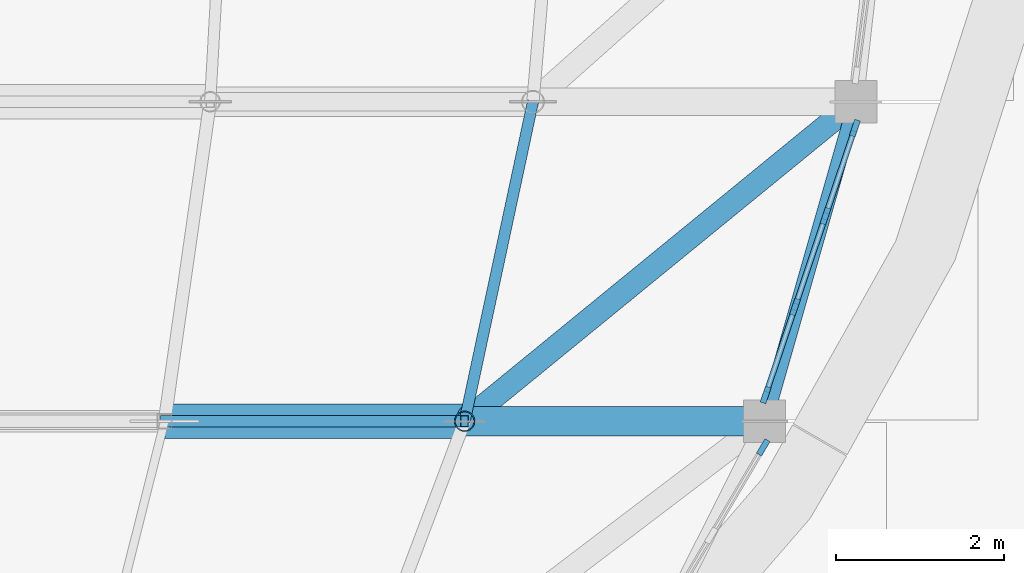
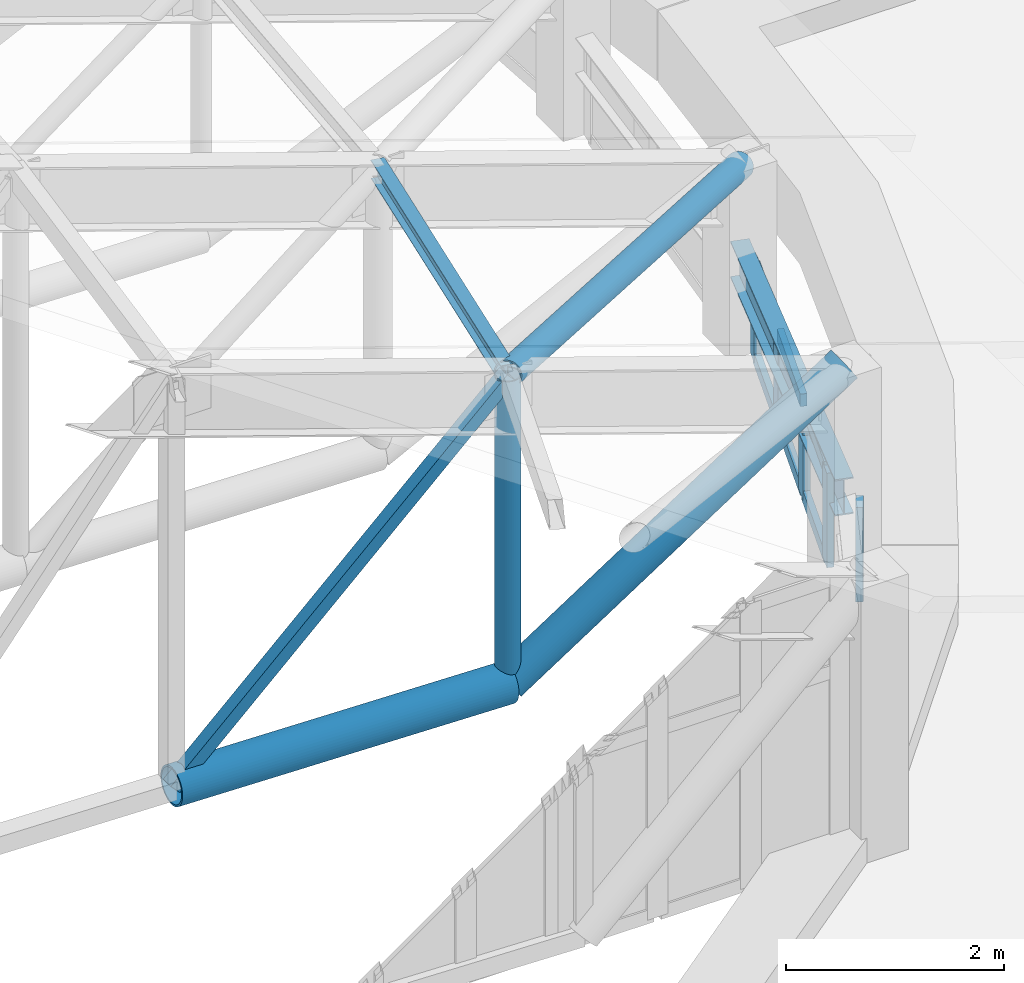
# One storey, part 18 of 105: 17 members, 1 beam, 2 elements without a shape of their own.
"""IFC4 building model written with IfcOpenShell, lengths in metres."""

import ifcopenshell
import ifcopenshell.guid

model = None  # the IFC model being written
_history = None  # IfcOwnerHistory: only IFC2X3 demands one
_inside = {}  # id of a spatial element -> (the spatial element, [elements in it])
_under = {}  # id of a project, library or spatial element -> (it, [spatial elements below it])
_declared = {}  # id of a project -> (the project, [libraries it declares])
_typed = {}  # id of a type object -> (the type object, [elements of that type])
_made_of = {}  # id of a material, layer set ... -> (it, [elements and type objects made of it])


def new_model(schema):
    """Start an empty IFC model of exactly this schema.

    Asked for "IFC4X3", IfcOpenShell would pick the latest addendum, in which some entities
    have other attributes; the version numbers below select the first issue.
    IFC2X3 requires an IfcOwnerHistory on every rooted entity: one is made here for all.
    """
    global model, _history
    if schema == "IFC4X3":
        model = ifcopenshell.file(schema_version=(4, 3, 0, 0))
    else:
        model = ifcopenshell.file(schema=schema)
    _inside.clear()
    _under.clear()
    _declared.clear()
    _typed.clear()
    _made_of.clear()
    _history = None
    if model.schema == "IFC2X3":
        org = make("IfcOrganization", Name="unknown")
        user = make(
            "IfcPersonAndOrganization",
            ThePerson=make("IfcPerson", FamilyName="unknown"),
            TheOrganization=org,
        )
        app = make(
            "IfcApplication",
            ApplicationDeveloper=org,
            Version="unknown",
            ApplicationFullName="unknown",
            ApplicationIdentifier="unknown",
        )
        _history = make(
            "IfcOwnerHistory",
            OwningUser=user,
            OwningApplication=app,
            ChangeAction="ADDED",
            CreationDate=0,
        )
    return model


def make(cls, **values):
    """One entity of the class cls with the attributes given. An attribute that is None is left unset."""
    return model.create_entity(
        cls, **{name: value for name, value in values.items() if value is not None}
    )


def rooted(cls, **values):
    """An entity with a GlobalId (a new one), such as an element, a storey or a relation."""
    return make(cls, GlobalId=ifcopenshell.guid.new(), OwnerHistory=_history, **values)


def si_unit(unit_type, name, prefix=None):
    """IfcSIUnit, for example si_unit("LENGTHUNIT", "METRE", prefix="MILLI")."""
    return make("IfcSIUnit", UnitType=unit_type, Prefix=prefix, Name=name)


def assignment(units):
    """IfcUnitAssignment: the units of a project."""
    return None if units is None else make("IfcUnitAssignment", Units=units)


def point(xyz):
    """IfcCartesianPoint."""
    return None if xyz is None else make("IfcCartesianPoint", Coordinates=xyz)


def direction(xyz):
    """IfcDirection."""
    return None if xyz is None else make("IfcDirection", DirectionRatios=xyz)


def frame(location, z_axis=None, x_axis=None):
    """IfcAxis2Placement3D, a coordinate frame: its origin and axes. An axis left out is left unset."""
    return make(
        "IfcAxis2Placement3D",
        Location=point(location),
        Axis=direction(z_axis),
        RefDirection=direction(x_axis),
    )


def frame_2d(location, x_axis=None):
    """IfcAxis2Placement2D, a coordinate frame in the plane: its origin and x axis."""
    return make(
        "IfcAxis2Placement2D", Location=point(location), RefDirection=direction(x_axis)
    )


def origin():
    """The frame at (0, 0, 0) with its axes left unset."""
    return frame((0.0, 0.0, 0.0))


def origin_2d():
    """The frame at (0, 0) in the plane with its x axis left unset."""
    return frame_2d((0.0, 0.0))


def place(relative_to, where):
    """IfcLocalPlacement: puts the frame where relative to a parent placement (None: the world)."""
    return make(
        "IfcLocalPlacement", PlacementRelTo=relative_to, RelativePlacement=where
    )


def context(
    kind, dimensions, precision=None, world=None, true_north=None, identifier=None
):
    """IfcGeometricRepresentationContext, for example the 3D "Model" context."""
    return make(
        "IfcGeometricRepresentationContext",
        ContextIdentifier=identifier,
        ContextType=kind,
        CoordinateSpaceDimension=dimensions,
        Precision=precision,
        WorldCoordinateSystem=world,
        TrueNorth=true_north,
    )


def subcontext(parent, identifier, kind, view, scale=None):
    """IfcGeometricRepresentationSubContext, for example "Body" below "Model"."""
    return make(
        "IfcGeometricRepresentationSubContext",
        ContextIdentifier=identifier,
        ContextType=kind,
        ParentContext=parent,
        TargetScale=scale,
        TargetView=view,
    )


def project(units=None, contexts=None):
    """IfcProject with its units and contexts."""
    return rooted(
        "IfcProject",
        Name="project",
        RepresentationContexts=contexts,
        UnitsInContext=assignment(units),
    )


def spatial(cls, under=None, at=None, **own):
    """A site, building, storey or space (cls), placed at a placement, below another one or the project."""
    s = rooted(cls, ObjectPlacement=at, **own)
    if under is not None:
        _under.setdefault(under.id(), (under, []))[1].append(s)
    return s


def profile(cls, at=None, kind="AREA", **sizes):
    """A parametric profile (cls). Its sizes go by their IFC names, for example OverallWidth=200.0."""
    return make(cls, ProfileType=kind, Position=at, **sizes)


def rectangle(**sizes):
    """IfcRectangleProfileDef."""
    return profile("IfcRectangleProfileDef", **sizes)


def hollow_rectangle(**sizes):
    """IfcRectangleHollowProfileDef."""
    return profile("IfcRectangleHollowProfileDef", **sizes)


def hollow_circle(**sizes):
    """IfcCircleHollowProfileDef."""
    return profile("IfcCircleHollowProfileDef", **sizes)


def i_section(**sizes):
    """IfcIShapeProfileDef."""
    return profile("IfcIShapeProfileDef", **sizes)


def extrude(swept, where, along, depth):
    """IfcExtrudedAreaSolid: the profile swept, set in the frame where, extruded along a direction by depth."""
    return make(
        "IfcExtrudedAreaSolid",
        SweptArea=swept,
        Position=where,
        ExtrudedDirection=direction(along),
        Depth=depth,
    )


def shape(context_of_items, identifier, shape_type, items):
    """IfcShapeRepresentation: the items that make up one representation, for example the "Body"."""
    return make(
        "IfcShapeRepresentation",
        ContextOfItems=context_of_items,
        RepresentationIdentifier=identifier,
        RepresentationType=shape_type,
        Items=items,
    )


def material(Name=None, Category=None):
    """IfcMaterial."""
    return make("IfcMaterial", Name=Name, Category=Category)


def material_profile(
    of_material, cross_section, Name=None, Category=None, Priority=None
):
    """IfcMaterialProfile: a cross section and its material."""
    return make(
        "IfcMaterialProfile",
        Name=Name,
        Material=of_material,
        Profile=cross_section,
        Priority=Priority,
        Category=Category,
    )


def profile_set(profiles, Name=None, composite=None):
    """IfcMaterialProfileSet."""
    return make(
        "IfcMaterialProfileSet",
        Name=Name,
        MaterialProfiles=profiles,
        CompositeProfile=composite,
    )


def made_of(thing, what):
    """Note that an element or type object is made of a material, layer set ...; save() writes the relation."""
    if what is not None:
        _made_of.setdefault(what.id(), (what, []))[1].append(thing)
    return thing


def type_object(cls, material=None, **own):
    """A type object (cls), such as IfcWallType, which elements share."""
    return made_of(rooted(cls, **own), material)


def element(
    cls,
    number,
    at=None,
    inside=None,
    cuts=None,
    type_object=None,
    material=None,
    context=None,
    identifier="Body",
    shape_type=None,
    held_by="IfcProductDefinitionShape",
    body=None,
    shapes=None,
    **own,
):
    """One element of the class cls, such as IfcWall. Its Tag is "e" and its number.

    at: its placement. inside: the storey or other place that contains it. cuts: it is an
    opening in that element (IfcRelVoidsElement). A single representation is given by context,
    identifier, shape_type and body (its items); several are given by shapes. held_by: the class
    of the entity that holds the representations. save() writes the other relations.
    """
    e = rooted(cls, Tag="e%d" % number, ObjectPlacement=at, **own)
    if body is not None:
        shapes = [shape(context, identifier, shape_type, body)]
    if shapes is not None:
        e.Representation = make(held_by, Representations=shapes)
    if inside is not None:
        _inside.setdefault(inside.id(), (inside, []))[1].append(e)
    if cuts is not None:
        rooted(
            "IfcRelVoidsElement", RelatingBuildingElement=cuts, RelatedOpeningElement=e
        )
    if type_object is not None:
        _typed.setdefault(type_object.id(), (type_object, []))[1].append(e)
    return made_of(e, material)


def aggregate(whole, parts):
    """IfcRelAggregates: a whole, such as a stair, and the parts it consists of."""
    return rooted("IfcRelAggregates", RelatingObject=whole, RelatedObjects=parts)


def save(model, path):
    """Write the relations noted so far, then the file.

    IfcRelAggregates (storeys below a building ...), IfcRelContainedInSpatialStructure (elements
    in a storey), IfcRelDefinesByType, IfcRelAssociatesMaterial and IfcRelDeclares: one each for
    every whole, place, type object, material and project.
    """
    for whole, parts in _under.values():
        aggregate(whole, parts)
    for where, things in _inside.values():
        rooted(
            "IfcRelContainedInSpatialStructure",
            RelatedElements=things,
            RelatingStructure=where,
        )
    for kind, things in _typed.values():
        rooted("IfcRelDefinesByType", RelatedObjects=things, RelatingType=kind)
    for what, things in _made_of.values():
        rooted("IfcRelAssociatesMaterial", RelatedObjects=things, RelatingMaterial=what)
    for by, libraries in _declared.values():
        rooted("IfcRelDeclares", RelatingContext=by, RelatedDefinitions=libraries)
    model.write(path)


model = new_model("IFC4")

# Units and contexts
model_context = context("Model", 3, precision=1e-05, world=origin(), true_north=direction((0.0, 1.0)))
body_context = subcontext(model_context, "Body", "Model", "MODEL_VIEW")
ifc_project = project(units=[si_unit("LENGTHUNIT", "METRE"), si_unit("AREAUNIT", "SQUARE_METRE"), si_unit("VOLUMEUNIT", "CUBIC_METRE"), si_unit("PLANEANGLEUNIT", "RADIAN"), si_unit("MASSUNIT", "GRAM", prefix="KILO")], contexts=[model_context])

# Site, building, storey
site_placement = place(None, origin())
site = spatial("IfcSite", under=ifc_project, at=site_placement, CompositionType="ELEMENT")
building_placement = place(site_placement, origin())
building = spatial("IfcBuilding", under=site, at=building_placement, Name="Corveleigh Park Community Centre", CompositionType="ELEMENT")
storey_placement = place(building_placement, frame((0.0, 0.0, 8.699951171875)))
storey = spatial("IfcBuildingStorey", under=building, at=storey_placement, Name="L02", CompositionType="ELEMENT", Elevation=8.699951171875)

# Beam
ifc_material_1 = material(Name="Steel S355", Category="steel")
ifc_material_profile_1 = material_profile(ifc_material_1, i_section(OverallWidth=0.1787109375, OverallDepth=0.409423828125, WebThickness=0.0087890625, FlangeThickness=0.014404296875, at=origin_2d()), Name="UKB 406x178x67", Category="steel")
ifc_profile_set_1 = profile_set([ifc_material_profile_1], Name="Steel S355")
beam_type = type_object("IfcBeamType", Name="BM-STL-UKB406x67", PredefinedType="BEAM", material=ifc_profile_set_1)
beam_placement = place(storey_placement, frame((45.2763671875, 19.204833984375, 0.915283203125), z_axis=(0.274336604371, 0.961633728351, 0.0), x_axis=(-0.961633728351, 0.274336604371, 0.0)))
element("IfcBeam", 1, at=beam_placement, inside=storey, type_object=beam_type, Name="V1 East Eave Tie Beam", PredefinedType="BEAM", context=body_context, shape_type="SweptSolid", body=[
    extrude(i_section(OverallWidth=0.1787109375, OverallDepth=0.409423828125, WebThickness=0.0087890625, FlangeThickness=0.014404296875, at=origin_2d()), origin(), (0.0, 0.0, 1.0), 3.94140625),
])

# Curtain wall, member
ifc_material_2 = material(Name="Anodised aluminium 6063-T6", Category="aluminium")
curtain_wall_type = type_object("IfcCurtainWallType", Name="CW-SYS-V1-L00", PredefinedType="NOTDEFINED", material=ifc_material_2)
curtain_wall_1_placement = place(storey_placement, origin())
curtain_wall_1 = element("IfcCurtainWall", 2, at=curtain_wall_1_placement, inside=storey, type_object=curtain_wall_type, Name="Main Hall East Eave Clerestory 1", PredefinedType="NOTDEFINED")
ifc_material_profile_2 = material_profile(ifc_material_2, rectangle(XDim=0.070068359375, YDim=0.199951171875, at=origin_2d()), Name="ALU-M70x200", Category="aluminium")
ifc_profile_set_2 = profile_set([ifc_material_profile_2], Name="Anodised aluminium 6063-T6")
member_type_1 = type_object("IfcMemberType", Name="CWM-70x200", PredefinedType="MULLION", material=ifc_profile_set_2)
member_1_placement = place(storey_placement, frame((45.25732421875, 18.889892578125, 0.0), z_axis=(0.0, 0.0, 1.0), x_axis=(0.861571691471, -0.507635913283, 0.0)))
member_1 = element("IfcMember", 3, at=member_1_placement, type_object=member_type_1, Name="CW01 mullion 1", PredefinedType="MULLION", context=body_context, shape_type="SweptSolid", body=[
    extrude(rectangle(XDim=0.070068359375, YDim=0.199951171875, at=origin_2d()), origin(), (0.0, 0.0, 1.0), 1.06005859375),
])
aggregate(curtain_wall_1, [member_1])

# Curtain wall, members
curtain_wall_2_placement = place(storey_placement, origin())
curtain_wall_2 = element("IfcCurtainWall", 4, at=curtain_wall_2_placement, inside=storey, type_object=curtain_wall_type, Name="Main Hall East Eave Clerestory 2", PredefinedType="NOTDEFINED")
member_2_placement = place(storey_placement, frame((46.347900390625, 22.686767578125, 0.0), z_axis=(0.0, 0.0, 1.0), x_axis=(0.948331478998, -0.317281272599, 0.0)))
member_2 = element("IfcMember", 5, at=member_2_placement, type_object=member_type_1, Name="CW01 mullion 1", PredefinedType="MULLION", context=body_context, shape_type="SweptSolid", body=[
    extrude(rectangle(XDim=0.070068359375, YDim=0.199951171875, at=origin_2d()), origin(), (0.0, 0.0, 1.0), 1.06005859375),
])
member_3_placement = place(storey_placement, frame((45.99755859375, 21.639892578125, 0.0), z_axis=(0.0, 0.0, 1.0), x_axis=(0.948331478998, -0.317281272599, 0.0)))
member_3 = element("IfcMember", 6, at=member_3_placement, type_object=member_type_1, Name="CW01 mullion 2", PredefinedType="MULLION", context=body_context, shape_type="SweptSolid", body=[
    extrude(rectangle(XDim=0.070068359375, YDim=0.199951171875, at=origin_2d()), origin(), (0.0, 0.0, 1.0), 1.06005859375),
])
member_4_placement = place(storey_placement, frame((45.63623046875, 20.56005859375, 0.0), z_axis=(0.0, 0.0, 1.0), x_axis=(0.948331478998, -0.317281272599, 0.0)))
member_4 = element("IfcMember", 7, at=member_4_placement, type_object=member_type_1, Name="CW01 mullion 3", PredefinedType="MULLION", context=body_context, shape_type="SweptSolid", body=[
    extrude(rectangle(XDim=0.070068359375, YDim=0.199951171875, at=origin_2d()), origin(), (0.0, 0.0, 1.0), 1.06005859375),
])
member_5_placement = place(storey_placement, frame((45.2861328125, 19.51318359375, 0.0), z_axis=(0.0, 0.0, 1.0), x_axis=(0.948331478998, -0.317281272599, 0.0)))
member_5 = element("IfcMember", 8, at=member_5_placement, type_object=member_type_1, Name="CW01 mullion 4", PredefinedType="MULLION", context=body_context, shape_type="SweptSolid", body=[
    extrude(rectangle(XDim=0.070068359375, YDim=0.199951171875, at=origin_2d()), origin(), (0.0, 0.0, 1.0), 1.06005859375),
])
ifc_material_profile_3 = material_profile(ifc_material_2, rectangle(XDim=0.06494140625, YDim=0.139892578125, at=origin_2d()), Name="ALU-T65x140", Category="aluminium")
ifc_profile_set_3 = profile_set([ifc_material_profile_3], Name="Anodised aluminium 6063-T6")
member_type_2 = type_object("IfcMemberType", Name="CWT-65x140", PredefinedType="USERDEFINED", material=ifc_profile_set_3)
member_6_placement = place(storey_placement, frame((46.336669921875, 22.653564453125, 0.032470703125), z_axis=(-0.317148599532, -0.948375856828, 0.0), x_axis=(0.948375856828, -0.317148599532, 0.0)))
member_6 = element("IfcMember", 9, at=member_6_placement, type_object=member_type_2, Name="CW01 transom 1.1", ObjectType="TRANSOM", PredefinedType="USERDEFINED", context=body_context, shape_type="SweptSolid", body=[
    extrude(rectangle(XDim=0.06494140625, YDim=0.139892578125, at=origin_2d()), origin(), (0.0, 0.0, 1.0), 1.033935546875),
])
member_7_placement = place(storey_placement, frame((46.336669921875, 22.653564453125, 1.027587890625), z_axis=(-0.317148599532, -0.948375856828, 0.0), x_axis=(0.948375856828, -0.317148599532, 0.0)))
member_7 = element("IfcMember", 10, at=member_7_placement, type_object=member_type_2, Name="CW01 transom 1.2", ObjectType="TRANSOM", PredefinedType="USERDEFINED", context=body_context, shape_type="SweptSolid", body=[
    extrude(rectangle(XDim=0.06494140625, YDim=0.139892578125, at=origin_2d()), origin(), (0.0, 0.0, 1.0), 1.033935546875),
])
member_8_placement = place(storey_placement, frame((45.986572265625, 21.606689453125, 0.032470703125), z_axis=(-0.317324139258, -0.948317136112, 0.0), x_axis=(0.948317136112, -0.317324139258, 0.0)))
member_8 = element("IfcMember", 11, at=member_8_placement, type_object=member_type_2, Name="CW01 transom 2.1", ObjectType="TRANSOM", PredefinedType="USERDEFINED", context=body_context, shape_type="SweptSolid", body=[
    extrude(rectangle(XDim=0.06494140625, YDim=0.139892578125, at=origin_2d()), origin(), (0.0, 0.0, 1.0), 1.068603515625),
])
member_9_placement = place(storey_placement, frame((45.986572265625, 21.606689453125, 1.027587890625), z_axis=(-0.317324139258, -0.948317136112, 0.0), x_axis=(0.948317136112, -0.317324139258, 0.0)))
member_9 = element("IfcMember", 12, at=member_9_placement, type_object=member_type_2, Name="CW01 transom 2.2", ObjectType="TRANSOM", PredefinedType="USERDEFINED", context=body_context, shape_type="SweptSolid", body=[
    extrude(rectangle(XDim=0.06494140625, YDim=0.139892578125, at=origin_2d()), origin(), (0.0, 0.0, 1.0), 1.068603515625),
])
member_10_placement = place(storey_placement, frame((45.625244140625, 20.52685546875, 0.032470703125), z_axis=(-0.317360972368, -0.948304810289, 0.0), x_axis=(0.948304810289, -0.317360972368, 0.0)))
member_10 = element("IfcMember", 13, at=member_10_placement, type_object=member_type_2, Name="CW01 transom 3.1", ObjectType="TRANSOM", PredefinedType="USERDEFINED", context=body_context, shape_type="SweptSolid", body=[
    extrude(rectangle(XDim=0.06494140625, YDim=0.139892578125, at=origin_2d()), origin(), (0.0, 0.0, 1.0), 1.033935546875),
])
member_11_placement = place(storey_placement, frame((45.625244140625, 20.52685546875, 1.027587890625), z_axis=(-0.317360972368, -0.948304810289, 0.0), x_axis=(0.948304810289, -0.317360972368, 0.0)))
member_11 = element("IfcMember", 14, at=member_11_placement, type_object=member_type_2, Name="CW01 transom 3.2", ObjectType="TRANSOM", PredefinedType="USERDEFINED", context=body_context, shape_type="SweptSolid", body=[
    extrude(rectangle(XDim=0.06494140625, YDim=0.139892578125, at=origin_2d()), origin(), (0.0, 0.0, 1.0), 1.033935546875),
])
aggregate(curtain_wall_2, [member_2, member_3, member_4, member_5, member_6, member_7, member_8, member_9, member_10, member_11])

# Members
ifc_material_profile_4 = material_profile(ifc_material_1, hollow_rectangle(XDim=0.139892578125, YDim=0.139892578125, WallThickness=0.008056640625, at=origin_2d()), Name="SHS 140x140x8.0", Category="steel")
ifc_profile_set_4 = profile_set([ifc_material_profile_4], Name="Steel S355")
member_type_3 = type_object("IfcMemberType", Name="MEM-BRC-SHS140", PredefinedType="BRACE", material=ifc_profile_set_4)
member_12_placement = place(storey_placement, frame((41.7060546875, 19.199951171875, 3.542236328125), z_axis=(-0.727287725019, 0.0, -0.686332692676), x_axis=(0.0, -1.0, 0.0)))
element("IfcMember", 15, at=member_12_placement, inside=storey, type_object=member_type_3, Name="V1 Truss T2 Web Diagonal", PredefinedType="BRACE", context=body_context, shape_type="SweptSolid", body=[
    extrude(hollow_rectangle(XDim=0.139892578125, YDim=0.139892578125, WallThickness=0.008056640625, at=origin_2d()), origin(), (0.0, 0.0, 1.0), 4.906005859375),
])
ifc_material_profile_5 = material_profile(ifc_material_1, hollow_circle(Radius=0.177734375, WallThickness=0.01611328125, at=origin_2d()), Name="CHS 355.6x16.0", Category="steel")
ifc_profile_set_5 = profile_set([ifc_material_profile_5], Name="Steel S355")
member_type_4 = type_object("IfcMemberType", Name="MEM-CHD-CHS356", PredefinedType="CHORD", material=ifc_profile_set_5)
member_13_placement = place(storey_placement, frame((41.7060546875, 19.199951171875, 0.087158203125), z_axis=(0.838330915726, 0.0, 0.545161696873), x_axis=(0.0, 1.0, 0.0)))
element("IfcMember", 16, at=member_13_placement, inside=storey, type_object=member_type_4, Name="V1 Truss T2 Bottom Chord", PredefinedType="CHORD", context=body_context, shape_type="SweptSolid", body=[
    extrude(hollow_circle(Radius=0.177734375, WallThickness=0.01611328125, at=origin_2d()), origin(), (0.0, 0.0, 1.0), 4.257080078125),
])
ifc_material_profile_6 = material_profile(ifc_material_1, hollow_circle(Radius=0.203125, WallThickness=0.02001953125, at=origin_2d()), Name="CHS 406.4x20.0", Category="steel")
ifc_profile_set_6 = profile_set([ifc_material_profile_6], Name="Steel S355")
member_type_5 = type_object("IfcMemberType", Name="MEM-CHD-CHS406", PredefinedType="CHORD", material=ifc_profile_set_6)
member_14_placement = place(storey_placement, frame((38.137939453125, 19.199951171875, 0.175048828125), z_axis=(0.999696764676, 0.0, -0.024624757802), x_axis=(0.0, 1.0, 0.0)))
element("IfcMember", 17, at=member_14_placement, inside=storey, type_object=member_type_5, Name="V1 Truss T2 Bottom Chord", PredefinedType="CHORD", context=body_context, shape_type="SweptSolid", body=[
    extrude(hollow_circle(Radius=0.203125, WallThickness=0.02001953125, at=origin_2d()), origin(), (0.0, 0.0, 1.0), 3.569091796875),
])
ifc_material_profile_7 = material_profile(ifc_material_1, i_section(OverallWidth=0.13330078125, OverallDepth=0.203125, WebThickness=0.005615234375, FlangeThickness=0.0078125, at=origin_2d()), Name="UKB 203x133x25", Category="steel")
ifc_profile_set_7 = profile_set([ifc_material_profile_7], Name="Steel S355")
member_type_6 = type_object("IfcMemberType", Name="MEM-PRL-UKB203", PredefinedType="PURLIN", material=ifc_profile_set_7)
member_15_placement = place(storey_placement, frame((41.7060546875, 19.199951171875, 3.54345703125), z_axis=(0.20867558079, 0.975386010511, -0.071250491099), x_axis=(-0.97787131541, 0.209207290737, 0.0)))
element("IfcMember", 18, at=member_15_placement, inside=storey, type_object=member_type_6, Name="V1 Pitched Roof Purlin", PredefinedType="PURLIN", context=body_context, shape_type="SweptSolid", body=[
    extrude(i_section(OverallWidth=0.13330078125, OverallDepth=0.203125, WebThickness=0.005615234375, FlangeThickness=0.0078125, at=origin_2d()), origin(), (0.0, 0.0, 1.0), 3.89599609375),
])
ifc_material_profile_8 = material_profile(ifc_material_1, hollow_circle(Radius=0.122314453125, WallThickness=0.012451171875, at=origin_2d()), Name="CHS 244.5x12.5", Category="steel")
ifc_profile_set_8 = profile_set([ifc_material_profile_8], Name="Steel S355")
member_type_7 = type_object("IfcMemberType", Name="MEM-STR-CHS245", PredefinedType="STRUT", material=ifc_profile_set_8)
member_16_placement = place(storey_placement, frame((41.7060546875, 19.199951171875, 0.087158203125), z_axis=(0.0, 0.0, 1.0), x_axis=(1.0, 0.0, 0.0)))
element("IfcMember", 19, at=member_16_placement, inside=storey, type_object=member_type_7, Name="V1 Truss T2 Web Post", PredefinedType="STRUT", context=body_context, shape_type="SweptSolid", body=[
    extrude(hollow_circle(Radius=0.122314453125, WallThickness=0.012451171875, at=origin_2d()), origin(), (0.0, 0.0, 1.0), 3.455078125),
])
ifc_material_profile_9 = material_profile(ifc_material_1, hollow_circle(Radius=0.136474609375, WallThickness=0.012451171875, at=origin_2d()), Name="CHS 273.0x12.5", Category="steel")
ifc_profile_set_9 = profile_set([ifc_material_profile_9], Name="Steel S355")
member_type_8 = type_object("IfcMemberType", Name="MEM-STR-CHS273E", PredefinedType="STRUT", material=ifc_profile_set_9)
member_17_placement = place(storey_placement, frame((41.7060546875, 19.199951171875, 3.542236328125), z_axis=(0.748736698041, 0.611506281089, -0.255838670251), x_axis=(-0.632558137713, 0.774512880728, 0.0)))
element("IfcMember", 20, at=member_17_placement, inside=storey, type_object=member_type_8, Name="V1 Roof Wind Strut", PredefinedType="STRUT", context=body_context, shape_type="SweptSolid", body=[
    extrude(hollow_circle(Radius=0.136474609375, WallThickness=0.012451171875, at=origin_2d()), origin(), (0.0, 0.0, 1.0), 6.21435546875),
])

save(model, "model.ifc")
